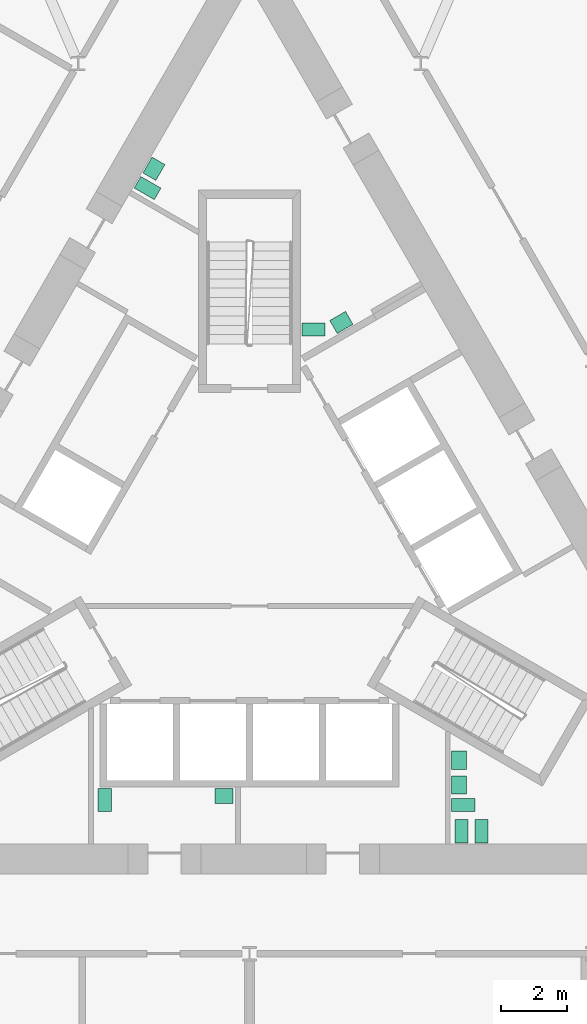
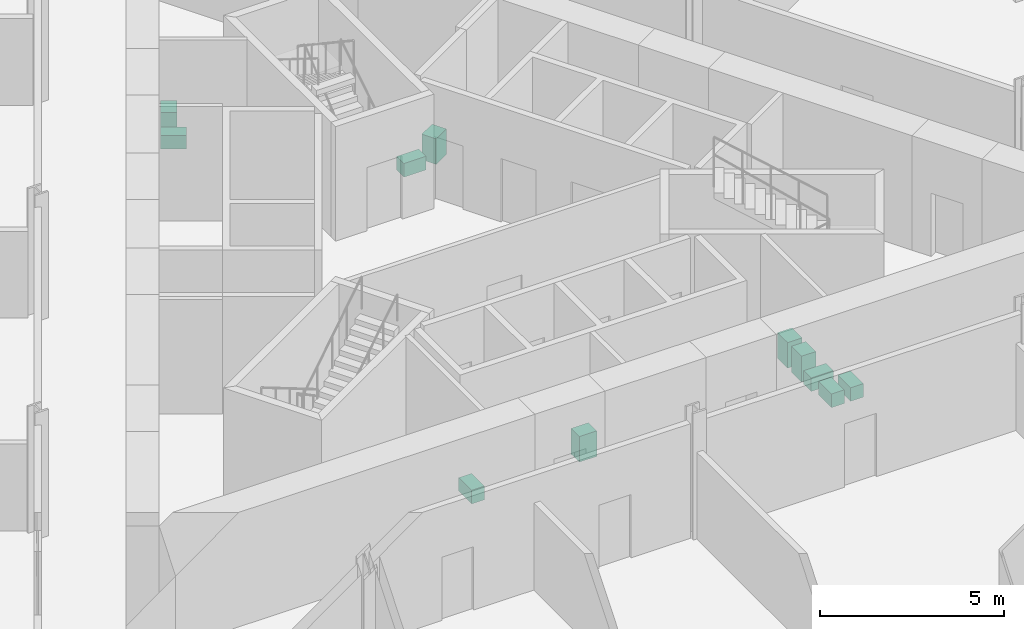
# One storey, part 20 of 21: 11 sanitary terminals.
"""IFC4 building model written with IfcOpenShell, lengths in metres."""

from ifc_helpers import new_model, si_unit, direction, frame, origin, origin_2d, place, context, subcontext, project, spatial, rectangle, extrude, material, type_object, element, save


model = new_model("IFC4")

# Units and contexts
model_context = context("Model", 3, precision=1e-05, world=origin(), true_north=direction((0.0, 1.0)))
body_context = subcontext(model_context, "Body", "Model", "MODEL_VIEW")
ifc_project = project(units=[si_unit("LENGTHUNIT", "METRE"), si_unit("AREAUNIT", "SQUARE_METRE"), si_unit("VOLUMEUNIT", "CUBIC_METRE"), si_unit("PLANEANGLEUNIT", "RADIAN"), si_unit("MASSUNIT", "GRAM", prefix="KILO")], contexts=[model_context])

# Site, building, storey
site_placement = place(None, origin())
site = spatial("IfcSite", under=ifc_project, at=site_placement, CompositionType="ELEMENT")
building_placement = place(site_placement, origin())
building = spatial("IfcBuilding", under=site, at=building_placement, Name="Cormorant Prow Tower", CompositionType="ELEMENT")
storey_placement = place(building_placement, frame((0.0, 0.0, 124.800048828125)))
storey = spatial("IfcBuildingStorey", under=building, at=storey_placement, Name="L26", CompositionType="ELEMENT", Elevation=124.800048828125)

# Sanitary terminals
ifc_material_1 = material(Name="Vitreous china")
sanitary_terminal_type_1 = type_object("IfcSanitaryTerminalType", Name="Wash basin 550x450", PredefinedType="WASHHANDBASIN", material=ifc_material_1)
for number, where, z_axis, x_axis, name in (
    (1, (6.31640625, -6.845947265625, 0.0), (0.0, 0.0, 1.0), (0.0, -1.0, 0.0), "Wash basin"),
    (2, (6.31640625, -6.095947265625, 0.0), (0.0, 0.0, 1.0), (0.0, -1.0, 0.0), "Wash basin"),
    (3, (2.7705078125, 7.101806640625, 0.0), (0.0, 0.0, 1.0), (0.866034130299, 0.499984884929, 0.0), "Wash basin"),
    (4, (-2.880126953125, 11.73388671875, 0.0), (0.0, 0.0, 1.0), (-0.5, -0.866025403784, 0.0), "Wash basin"),
    (5, (-0.766357421875, -7.1708984375, 0.0), (0.0, 0.0, 1.0), (-1.0, 0.0, 0.0), "Wash basin"),
):
    element("IfcSanitaryTerminal", number, at=place(storey_placement, frame(where, z_axis=z_axis, x_axis=x_axis)), inside=storey, type_object=sanitary_terminal_type_1, Name=name, PredefinedType="WASHHANDBASIN", context=body_context, shape_type="SweptSolid", body=[
        extrude(rectangle(XDim=0.550048828125, YDim=0.449951171875, at=origin_2d()), origin(), (0.0, 0.0, 1.0), 0.85009765625),
    ])
ifc_material_2 = material(Name="Vitreous china")
sanitary_terminal_type_2 = type_object("IfcSanitaryTerminalType", Name="Water closet 400x700", PredefinedType="WCSEAT", material=ifc_material_2)
for number, where, z_axis, x_axis, name in (
    (6, (6.3916015625, -8.236328125, 0.0), (0.0, 0.0, 1.0), (1.0, 0.0, 0.0), "Water closet"),
    (7, (6.44140625, -7.446044921875, 0.0), (0.0, 0.0, 1.0), (0.0, -1.0, 0.0), "Water closet"),
    (8, (6.991455078125, -8.236328125, 0.0), (0.0, 0.0, 1.0), (1.0, 0.0, 0.0), "Water closet"),
    (9, (1.93408203125, 6.88671875, 0.0), (0.0, 0.0, 1.0), (0.0, -1.0, 0.0), "Water closet"),
    (10, (-3.072021484375, 11.15185546875, 0.0), (0.0, 0.0, 1.0), (-0.5, -0.866025403784, 0.0), "Water closet"),
    (11, (-4.3662109375, -7.2958984375, 0.0), (0.0, 0.0, 1.0), (-1.0, 0.0, 0.0), "Water closet"),
):
    element("IfcSanitaryTerminal", number, at=place(storey_placement, frame(where, z_axis=z_axis, x_axis=x_axis)), inside=storey, type_object=sanitary_terminal_type_2, Name=name, PredefinedType="WCSEAT", context=body_context, shape_type="SweptSolid", body=[
        extrude(rectangle(XDim=0.39990234375, YDim=0.699951171875, at=origin_2d()), origin(), (0.0, 0.0, 1.0), 0.449951171875),
    ])

save(model, "model.ifc")
